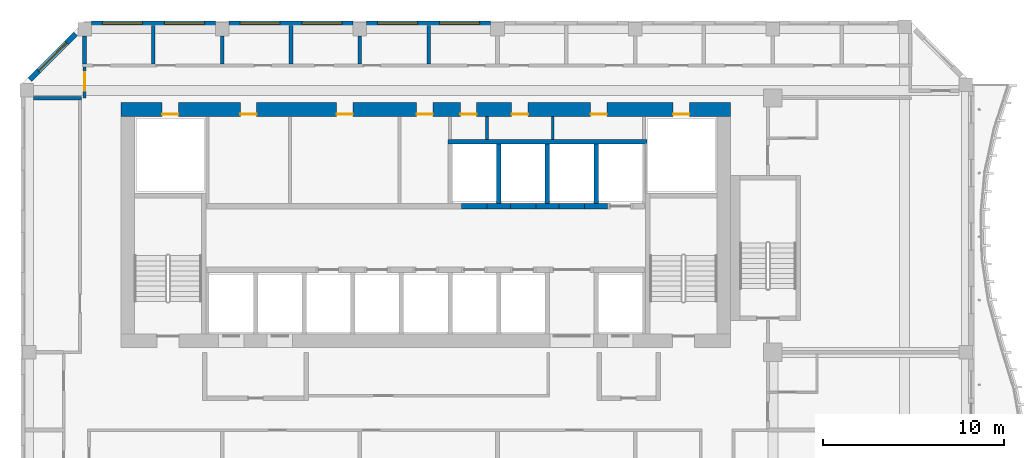
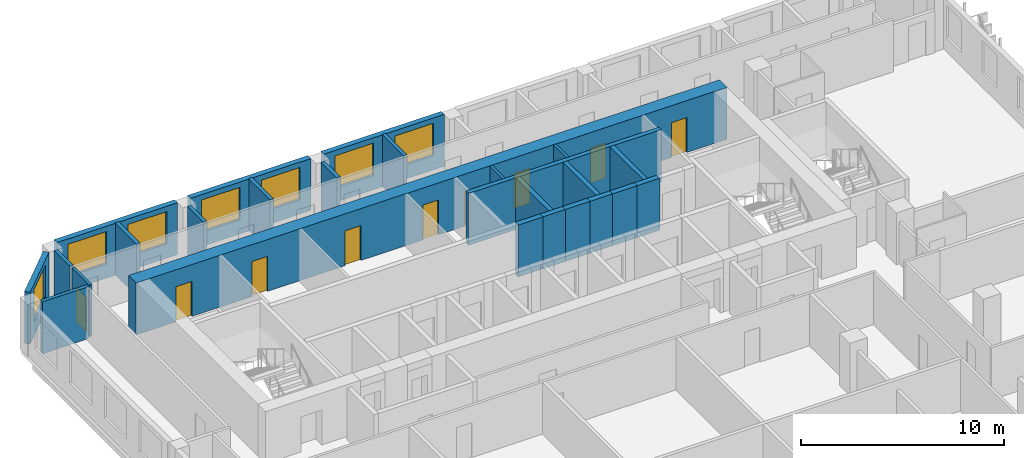
# One storey, part 8 of 23: 25 walls, 9 doors, 7 windows, 16 openings.
"""IFC4 building model written with IfcOpenShell, lengths in metres."""

from ifc_helpers import new_model, si_unit, direction, frame, frame_2d, origin, place, context, subcontext, project, spatial, rectangle, extrude, source, transform, mapped, material, layer, layer_set, type_object, element, fill, save


model = new_model("IFC4")

# Units and contexts
model_context = context("Model", 3, precision=1e-05, world=origin(), true_north=direction((0.0, 1.0)))
body_context = subcontext(model_context, "Body", "Model", "MODEL_VIEW")
ifc_project = project(units=[si_unit("LENGTHUNIT", "METRE"), si_unit("AREAUNIT", "SQUARE_METRE"), si_unit("VOLUMEUNIT", "CUBIC_METRE"), si_unit("PLANEANGLEUNIT", "RADIAN"), si_unit("MASSUNIT", "GRAM", prefix="KILO")], contexts=[model_context])

# Site, building, storey
site_placement = place(None, origin())
site = spatial("IfcSite", under=ifc_project, at=site_placement, CompositionType="ELEMENT")
building_placement = place(site_placement, origin())
building = spatial("IfcBuilding", under=site, at=building_placement, Name="Kilnfold Tower and Market Hall", CompositionType="ELEMENT")
storey_placement = place(building_placement, frame((0.0, 0.0, 203.300048828125)))
storey = spatial("IfcBuildingStorey", under=building, at=storey_placement, Name="L49", CompositionType="ELEMENT", Elevation=203.300048828125)

# Wall, opening, door
ifc_material_1 = material(Name="Gypsum board on steel studs", Category="steel")
ifc_layer_1 = layer(ifc_material_1, 0.14990234375)
ifc_layer_set_1 = layer_set([ifc_layer_1], Name="Gypsum board on steel studs")
wall_type_1 = type_object("IfcWallType", Name="WALL CORRIDOR 150", PredefinedType="PARTITIONING", material=ifc_layer_set_1)
wall_1_placement = place(storey_placement, frame((-17.75, 23.72509765625, 0.0), z_axis=(0.0, 0.0, 1.0), x_axis=(0.0, -1.0, 0.0)))
wall_1 = element("IfcWall", 1, at=wall_1_placement, inside=storey, type_object=wall_type_1, Name="Partition LY30.17", PredefinedType="PARTITIONING", context=body_context, shape_type="SweptSolid", body=[
    extrude(rectangle(XDim=1.72509765625, YDim=0.14990234375, at=frame_2d((0.862548828125, 0.0))), origin(), (0.0, 0.0, 1.0), 3.119873046875),
])
opening_1_placement = place(wall_1_placement, frame((0.30810546875, 0.0, 0.0)))
opening_1 = element("IfcOpeningElement", 2, at=opening_1_placement, cuts=wall_1, Name="Opening D4", PredefinedType="OPENING", context=body_context, shape_type="SweptSolid", body=[
    extrude(rectangle(XDim=1.0, YDim=2.10009765625, at=frame_2d((0.5, 1.050048828125))), frame((0.0, 0.0849609375, 0.0), z_axis=(0.0, -1.0, 0.0), x_axis=(1.0, 0.0, 0.0)), (0.0, 0.0, 1.0), 0.169921875),
])
ifc_material_2 = material(Name="Timber veneer door leaf in steel frame", Category="steel")
door_type_1 = type_object("IfcDoorType", Name="DOOR SERVICE 1000 X2100", OperationType="NOTDEFINED", PredefinedType="DOOR", material=ifc_material_2)
door_1_placement = place(opening_1_placement, origin())
door_1 = element("IfcDoor", 3, at=door_1_placement, inside=storey, type_object=door_type_1, Name="Door D4", OperationType="SINGLE_SWING_RIGHT", OverallHeight=2.10009765625, OverallWidth=1.0, PredefinedType="DOOR", context=body_context, shape_type="SweptSolid", body=[
    extrude(rectangle(XDim=1.0, YDim=2.10009765625, at=frame_2d((0.5, 1.050048828125))), frame((0.0, 0.02490234375, 0.0), z_axis=(0.0, -1.0, 0.0), x_axis=(1.0, 0.0, 0.0)), (0.0, 0.0, 1.0), 0.050048828125),
])
fill(opening_1, door_1)

# Walls
ifc_material_3 = material(Name="Gypsum board on steel studs", Category="steel")
ifc_layer_2 = layer(ifc_material_3, 0.199951171875)
ifc_layer_set_2 = layer_set([ifc_layer_2], Name="Gypsum board on steel studs")
wall_type_2 = type_object("IfcWallType", Name="WALL PARTY 200", PredefinedType="PARTITIONING", material=ifc_layer_set_2)
wall_2_placement = place(storey_placement, frame((-17.927001953125, 22.0, 0.0), z_axis=(0.0, 0.0, 1.0), x_axis=(-1.0, 0.0, 0.0)))
element("IfcWall", 4, at=wall_2_placement, inside=storey, type_object=wall_type_2, Name="Partition LY30.82", PredefinedType="PARTITIONING", context=body_context, shape_type="SweptSolid", body=[
    extrude(rectangle(XDim=2.6298828125, YDim=0.199951171875, at=frame_2d((1.31494140625, 0.0))), origin(), (0.0, 0.0, 1.0), 3.119873046875),
])
wall_3_placement = place(storey_placement, frame((-17.75, 23.876953125, 0.0), z_axis=(0.0, 0.0, 1.0), x_axis=(0.0, 1.0, 0.0)))
element("IfcWall", 5, at=wall_3_placement, inside=storey, type_object=wall_type_2, Name="Partition LY30.88", PredefinedType="PARTITIONING", context=body_context, shape_type="SweptSolid", body=[
    extrude(rectangle(XDim=1.548095703125, YDim=0.199951171875, at=frame_2d((0.77392578125, 0.0))), origin(), (0.0, 0.0, 1.0), 3.119873046875),
])
wall_4_placement = place(storey_placement, frame((-13.958984375, 23.876953125, 0.0), z_axis=(0.0, 0.0, 1.0), x_axis=(0.0, 1.0, 0.0)))
element("IfcWall", 6, at=wall_4_placement, inside=storey, type_object=wall_type_2, Name="Partition LY30.99", PredefinedType="PARTITIONING", context=body_context, shape_type="SweptSolid", body=[
    extrude(rectangle(XDim=2.123046875, YDim=0.199951171875, at=frame_2d((1.0615234375, 0.0))), origin(), (0.0, 0.0, 1.0), 3.119873046875),
])
wall_5_placement = place(storey_placement, frame((-10.1669921875, 23.876953125, 0.0), z_axis=(0.0, 0.0, 1.0), x_axis=(0.0, 1.0, 0.0)))
element("IfcWall", 7, at=wall_5_placement, inside=storey, type_object=wall_type_2, Name="Partition LY30.100", PredefinedType="PARTITIONING", context=body_context, shape_type="SweptSolid", body=[
    extrude(rectangle(XDim=1.548095703125, YDim=0.199951171875, at=frame_2d((0.77392578125, 0.0))), origin(), (0.0, 0.0, 1.0), 3.119873046875),
])
wall_6_placement = place(storey_placement, frame((-6.375, 23.876953125, 0.0), z_axis=(0.0, 0.0, 1.0), x_axis=(0.0, 1.0, 0.0)))
element("IfcWall", 8, at=wall_6_placement, inside=storey, type_object=wall_type_2, Name="Partition LY30.101", PredefinedType="PARTITIONING", context=body_context, shape_type="SweptSolid", body=[
    extrude(rectangle(XDim=2.123046875, YDim=0.199951171875, at=frame_2d((1.0615234375, 0.0))), origin(), (0.0, 0.0, 1.0), 3.119873046875),
])
wall_7_placement = place(storey_placement, frame((-2.5830078125, 23.876953125, 0.0), z_axis=(0.0, 0.0, 1.0), x_axis=(0.0, 1.0, 0.0)))
element("IfcWall", 9, at=wall_7_placement, inside=storey, type_object=wall_type_2, Name="Partition LY30.102", PredefinedType="PARTITIONING", context=body_context, shape_type="SweptSolid", body=[
    extrude(rectangle(XDim=1.548095703125, YDim=0.199951171875, at=frame_2d((0.77392578125, 0.0))), origin(), (0.0, 0.0, 1.0), 3.119873046875),
])
wall_8_placement = place(storey_placement, frame((1.2080078125, 23.876953125, 0.0), z_axis=(0.0, 0.0, 1.0), x_axis=(0.0, 1.0, 0.0)))
element("IfcWall", 10, at=wall_8_placement, inside=storey, type_object=wall_type_2, Name="Partition LY30.103", PredefinedType="PARTITIONING", context=body_context, shape_type="SweptSolid", body=[
    extrude(rectangle(XDim=2.123046875, YDim=0.199951171875, at=frame_2d((1.0615234375, 0.0))), origin(), (0.0, 0.0, 1.0), 3.119873046875),
])
ifc_material_4 = material(Name="Concrete C60", Category="concrete")
ifc_layer_3 = layer(ifc_material_4, 0.300048828125)
ifc_layer_set_3 = layer_set([ifc_layer_3], Name="Concrete C60")
wall_type_3 = type_object("IfcWallType", Name="CORE WALL 300 C60", PredefinedType="SHEAR", material=ifc_layer_set_3)
shared_shape_1 = source(origin(), body_context, "Body", "SweptSolid", [
    extrude(rectangle(XDim=1.280029296875, YDim=0.300048828125, at=frame_2d((0.64013671875, 0.0))), origin(), (0.0, 0.0, 1.0), 3.119873046875),
])
for number, where, z_axis, x_axis, name in (
    (11, (4.429931640625, 16.050048828125, 0.0), (0.0, 0.0, 1.0), (1.0, 0.0, 0.0), "Core spine wall"),
    (12, (9.7900390625, 16.050048828125, 0.0), (0.0, 0.0, 1.0), (1.0, 0.0, 0.0), "Core spine wall"),
):
    element("IfcWall", number, at=place(storey_placement, frame(where, z_axis=z_axis, x_axis=x_axis)), inside=storey, type_object=wall_type_3, Name=name, PredefinedType="SHEAR", context=body_context, shape_type="MappedRepresentation", body=[
        mapped(shared_shape_1, transform((0.0, 0.0, 0.0))),
    ])
shared_shape_2 = source(origin(), body_context, "Body", "SweptSolid", [
    extrude(rectangle(XDim=1.27978515625, YDim=0.300048828125, at=frame_2d((0.639892578125, 0.0))), origin(), (0.0, 0.0, 1.0), 3.119873046875),
])
wall_9_placement = place(storey_placement, frame((7.110107421875, 16.050048828125, 0.0), z_axis=(0.0, 0.0, 1.0), x_axis=(1.0, 0.0, 0.0)))
element("IfcWall", 13, at=wall_9_placement, inside=storey, type_object=wall_type_3, Name="Core spine wall", PredefinedType="SHEAR", context=body_context, shape_type="MappedRepresentation", body=[
    mapped(shared_shape_2, transform((0.0, 0.0, 0.0))),
])

# Wall, openings, doors
ifc_material_5 = material(Name="Concrete C60", Category="concrete")
ifc_layer_4 = layer(ifc_material_5, 0.75)
ifc_layer_set_4 = layer_set([ifc_layer_4], Name="Concrete C60")
wall_type_4 = type_object("IfcWallType", Name="CORE WALL 750 C60", PredefinedType="SHEAR", material=ifc_layer_set_4)
shared_shape_3 = source(origin(), body_context, "Body", "SweptSolid", [
    extrude(rectangle(XDim=33.60009765625, YDim=0.75, at=frame_2d((16.800048828125, 0.0))), origin(), (0.0, 0.0, 1.0), 3.119873046875),
])
wall_10_placement = place(storey_placement, frame((-15.75, 21.375, 0.0), z_axis=(0.0, 0.0, 1.0), x_axis=(1.0, 0.0, 0.0)))
wall_10 = element("IfcWall", 14, at=wall_10_placement, inside=storey, type_object=wall_type_4, Name="Core outer wall north", PredefinedType="SHEAR", context=body_context, shape_type="MappedRepresentation", body=[
    mapped(shared_shape_3, transform((0.0, 0.0, 0.0))),
])
opening_2_placement = place(wall_10_placement, frame((6.581298828125, 0.0, 0.0)))
opening_2 = element("IfcOpeningElement", 15, at=opening_2_placement, cuts=wall_10, Name="Opening KD1", PredefinedType="OPENING", context=body_context, shape_type="SweptSolid", body=[
    extrude(rectangle(XDim=0.89990234375, YDim=2.10009765625, at=frame_2d((0.449951171875, 1.050048828125))), frame((0.0, 0.385009765625, 0.0), z_axis=(0.0, -1.0, 0.0), x_axis=(1.0, 0.0, 0.0)), (0.0, 0.0, 1.0), 0.77001953125),
])
opening_3_placement = place(wall_10_placement, frame((11.8876953125, 0.0, 0.0)))
opening_3 = element("IfcOpeningElement", 16, at=opening_3_placement, cuts=wall_10, Name="Opening KD1", PredefinedType="OPENING", context=body_context, shape_type="SweptSolid", body=[
    extrude(rectangle(XDim=0.89990234375, YDim=2.10009765625, at=frame_2d((0.449951171875, 1.050048828125))), frame((0.0, 0.385009765625, 0.0), z_axis=(0.0, -1.0, 0.0), x_axis=(1.0, 0.0, 0.0)), (0.0, 0.0, 1.0), 0.77001953125),
])
opening_4_placement = place(wall_10_placement, frame((16.29638671875, 0.0, 0.0)))
opening_4 = element("IfcOpeningElement", 17, at=opening_4_placement, cuts=wall_10, Name="Opening KD1", PredefinedType="OPENING", context=body_context, shape_type="SweptSolid", body=[
    extrude(rectangle(XDim=0.89990234375, YDim=2.10009765625, at=frame_2d((0.449951171875, 1.050048828125))), frame((0.0, 0.385009765625, 0.0), z_axis=(0.0, -1.0, 0.0), x_axis=(1.0, 0.0, 0.0)), (0.0, 0.0, 1.0), 0.77001953125),
])
opening_5_placement = place(wall_10_placement, frame((18.70849609375, 0.0, 0.0)))
opening_5 = element("IfcOpeningElement", 18, at=opening_5_placement, cuts=wall_10, Name="Opening KD1", PredefinedType="OPENING", context=body_context, shape_type="SweptSolid", body=[
    extrude(rectangle(XDim=0.89990234375, YDim=2.10009765625, at=frame_2d((0.449951171875, 1.050048828125))), frame((0.0, 0.385009765625, 0.0), z_axis=(0.0, -1.0, 0.0), x_axis=(1.0, 0.0, 0.0)), (0.0, 0.0, 1.0), 0.77001953125),
])
opening_6_placement = place(wall_10_placement, frame((21.535888671875, 0.0, 0.0)))
opening_6 = element("IfcOpeningElement", 19, at=opening_6_placement, cuts=wall_10, Name="Opening KD1", PredefinedType="OPENING", context=body_context, shape_type="SweptSolid", body=[
    extrude(rectangle(XDim=0.89990234375, YDim=2.10009765625, at=frame_2d((0.449951171875, 1.050048828125))), frame((0.0, 0.385009765625, 0.0), z_axis=(0.0, -1.0, 0.0), x_axis=(1.0, 0.0, 0.0)), (0.0, 0.0, 1.0), 0.77001953125),
])
opening_7_placement = place(wall_10_placement, frame((25.87744140625, 0.0, 0.0)))
opening_7 = element("IfcOpeningElement", 20, at=opening_7_placement, cuts=wall_10, Name="Opening KD1", PredefinedType="OPENING", context=body_context, shape_type="SweptSolid", body=[
    extrude(rectangle(XDim=0.89990234375, YDim=2.10009765625, at=frame_2d((0.449951171875, 1.050048828125))), frame((0.0, 0.385009765625, 0.0), z_axis=(0.0, -1.0, 0.0), x_axis=(1.0, 0.0, 0.0)), (0.0, 0.0, 1.0), 0.77001953125),
])
opening_8_placement = place(wall_10_placement, frame((2.27490234375, 0.0, 0.0)))
opening_8 = element("IfcOpeningElement", 21, at=opening_8_placement, cuts=wall_10, Name="Opening KD1", PredefinedType="OPENING", context=body_context, shape_type="SweptSolid", body=[
    extrude(rectangle(XDim=0.89990234375, YDim=2.10009765625, at=frame_2d((0.449951171875, 1.050048828125))), frame((0.0, 0.385009765625, 0.0), z_axis=(0.0, -1.0, 0.0), x_axis=(1.0, 0.0, 0.0)), (0.0, 0.0, 1.0), 0.77001953125),
])
opening_9_placement = place(wall_10_placement, frame((30.425048828125, 0.0, 0.0)))
opening_9 = element("IfcOpeningElement", 22, at=opening_9_placement, cuts=wall_10, Name="Opening KD1", PredefinedType="OPENING", context=body_context, shape_type="SweptSolid", body=[
    extrude(rectangle(XDim=0.89990234375, YDim=2.10009765625, at=frame_2d((0.449951171875, 1.050048828125))), frame((0.0, 0.385009765625, 0.0), z_axis=(0.0, -1.0, 0.0), x_axis=(1.0, 0.0, 0.0)), (0.0, 0.0, 1.0), 0.77001953125),
])
ifc_material_6 = material(Name="Steel door set with fire-resisting leaf", Category="steel")
door_type_2 = type_object("IfcDoorType", Name="SERVICE DOOR 900X2100", OperationType="NOTDEFINED", PredefinedType="DOOR", material=ifc_material_6)
door_2_placement = place(opening_2_placement, origin())
door_2 = element("IfcDoor", 23, at=door_2_placement, inside=storey, type_object=door_type_2, Name="Core service door", OperationType="SINGLE_SWING_RIGHT", OverallHeight=2.10009765625, OverallWidth=0.89990234375, PredefinedType="DOOR", context=body_context, shape_type="SweptSolid", body=[
    extrude(rectangle(XDim=0.89990234375, YDim=2.10009765625, at=frame_2d((0.449951171875, 1.050048828125))), frame((0.0, -0.22998046875, 0.0), z_axis=(0.0, -1.0, 0.0), x_axis=(1.0, 0.0, 0.0)), (0.0, 0.0, 1.0), 0.050048828125),
])
fill(opening_2, door_2)
door_3_placement = place(opening_3_placement, origin())
door_3 = element("IfcDoor", 24, at=door_3_placement, inside=storey, type_object=door_type_2, Name="Core service door", OperationType="SINGLE_SWING_LEFT", OverallHeight=2.10009765625, OverallWidth=0.89990234375, PredefinedType="DOOR", context=body_context, shape_type="SweptSolid", body=[
    extrude(rectangle(XDim=0.89990234375, YDim=2.10009765625, at=frame_2d((0.449951171875, 1.050048828125))), frame((0.0, -0.22998046875, 0.0), z_axis=(0.0, -1.0, 0.0), x_axis=(1.0, 0.0, 0.0)), (0.0, 0.0, 1.0), 0.050048828125),
])
fill(opening_3, door_3)
door_4_placement = place(opening_4_placement, origin())
door_4 = element("IfcDoor", 25, at=door_4_placement, inside=storey, type_object=door_type_2, Name="Core service door", OperationType="SINGLE_SWING_RIGHT", OverallHeight=2.10009765625, OverallWidth=0.89990234375, PredefinedType="DOOR", context=body_context, shape_type="SweptSolid", body=[
    extrude(rectangle(XDim=0.89990234375, YDim=2.10009765625, at=frame_2d((0.449951171875, 1.050048828125))), frame((0.0, -0.22998046875, 0.0), z_axis=(0.0, -1.0, 0.0), x_axis=(1.0, 0.0, 0.0)), (0.0, 0.0, 1.0), 0.050048828125),
])
fill(opening_4, door_4)
door_5_placement = place(opening_5_placement, origin())
door_5 = element("IfcDoor", 26, at=door_5_placement, inside=storey, type_object=door_type_2, Name="Core service door", OperationType="SINGLE_SWING_LEFT", OverallHeight=2.10009765625, OverallWidth=0.89990234375, PredefinedType="DOOR", context=body_context, shape_type="SweptSolid", body=[
    extrude(rectangle(XDim=0.89990234375, YDim=2.10009765625, at=frame_2d((0.449951171875, 1.050048828125))), frame((0.0, -0.22998046875, 0.0), z_axis=(0.0, -1.0, 0.0), x_axis=(1.0, 0.0, 0.0)), (0.0, 0.0, 1.0), 0.050048828125),
])
fill(opening_5, door_5)
door_6_placement = place(opening_6_placement, origin())
door_6 = element("IfcDoor", 27, at=door_6_placement, inside=storey, type_object=door_type_2, Name="Core service door", OperationType="SINGLE_SWING_RIGHT", OverallHeight=2.10009765625, OverallWidth=0.89990234375, PredefinedType="DOOR", context=body_context, shape_type="SweptSolid", body=[
    extrude(rectangle(XDim=0.89990234375, YDim=2.10009765625, at=frame_2d((0.449951171875, 1.050048828125))), frame((0.0, -0.22998046875, 0.0), z_axis=(0.0, -1.0, 0.0), x_axis=(1.0, 0.0, 0.0)), (0.0, 0.0, 1.0), 0.050048828125),
])
fill(opening_6, door_6)
door_7_placement = place(opening_7_placement, origin())
door_7 = element("IfcDoor", 28, at=door_7_placement, inside=storey, type_object=door_type_2, Name="Core service door", OperationType="SINGLE_SWING_LEFT", OverallHeight=2.10009765625, OverallWidth=0.89990234375, PredefinedType="DOOR", context=body_context, shape_type="SweptSolid", body=[
    extrude(rectangle(XDim=0.89990234375, YDim=2.10009765625, at=frame_2d((0.449951171875, 1.050048828125))), frame((0.0, -0.22998046875, 0.0), z_axis=(0.0, -1.0, 0.0), x_axis=(1.0, 0.0, 0.0)), (0.0, 0.0, 1.0), 0.050048828125),
])
fill(opening_7, door_7)
door_8_placement = place(opening_8_placement, origin())
door_8 = element("IfcDoor", 29, at=door_8_placement, inside=storey, type_object=door_type_2, Name="Electrical riser access door", OperationType="SINGLE_SWING_RIGHT", OverallHeight=2.10009765625, OverallWidth=0.89990234375, PredefinedType="DOOR", context=body_context, shape_type="SweptSolid", body=[
    extrude(rectangle(XDim=0.89990234375, YDim=2.10009765625, at=frame_2d((0.449951171875, 1.050048828125))), frame((0.0, -0.22998046875, 0.0), z_axis=(0.0, -1.0, 0.0), x_axis=(1.0, 0.0, 0.0)), (0.0, 0.0, 1.0), 0.050048828125),
])
fill(opening_8, door_8)
door_9_placement = place(opening_9_placement, origin())
door_9 = element("IfcDoor", 30, at=door_9_placement, inside=storey, type_object=door_type_2, Name="Mechanical riser access door", OperationType="SINGLE_SWING_LEFT", OverallHeight=2.10009765625, OverallWidth=0.89990234375, PredefinedType="DOOR", context=body_context, shape_type="SweptSolid", body=[
    extrude(rectangle(XDim=0.89990234375, YDim=2.10009765625, at=frame_2d((0.449951171875, 1.050048828125))), frame((0.0, -0.22998046875, 0.0), z_axis=(0.0, -1.0, 0.0), x_axis=(1.0, 0.0, 0.0)), (0.0, 0.0, 1.0), 0.050048828125),
])
fill(opening_9, door_9)

# Wall, openings, windows
ifc_material_7 = material(Name="Precast concrete C50/60", Category="concrete")
ifc_layer_5 = layer(ifc_material_7, 0.300048828125)
ifc_layer_set_5 = layer_set([ifc_layer_5], Name="Precast concrete C50/60")
wall_type_5 = type_object("IfcWallType", Name="PRECAST WALL 300", PredefinedType="SOLIDWALL", material=ifc_layer_set_5)
shared_shape_4 = source(origin(), body_context, "Body", "SweptSolid", [
    extrude(rectangle(XDim=6.833251953125, YDim=0.300048828125, at=frame_2d((3.41650390625, 0.0))), origin(), (0.0, 0.0, 1.0), 3.119873046875),
])
wall_11_placement = place(storey_placement, frame((4.625, 26.10009765625, 0.0), z_axis=(0.0, 0.0, 1.0), x_axis=(-1.0, 0.0, 0.0)))
wall_11 = element("IfcWall", 31, at=wall_11_placement, inside=storey, type_object=wall_type_5, Name="External wall L49 N", PredefinedType="SOLIDWALL", context=body_context, shape_type="MappedRepresentation", body=[
    mapped(shared_shape_4, transform((0.0, 0.0, 0.0))),
])
opening_10_placement = place(wall_11_placement, frame((0.6083984375, 0.0, 0.85009765625)))
opening_10 = element("IfcOpeningElement", 32, at=opening_10_placement, cuts=wall_11, Name="Opening W2", PredefinedType="OPENING", context=body_context, shape_type="SweptSolid", body=[
    extrude(rectangle(XDim=2.199951171875, YDim=1.949951171875, at=frame_2d((1.10009765625, 0.97509765625))), frame((0.0, 0.16015625, 0.0), z_axis=(0.0, -1.0, 0.0), x_axis=(1.0, 0.0, 0.0)), (0.0, 0.0, 1.0), 0.320068359375),
])
opening_11_placement = place(wall_11_placement, frame((4.02490234375, 0.0, 0.85009765625)))
opening_11 = element("IfcOpeningElement", 33, at=opening_11_placement, cuts=wall_11, Name="Opening W2", PredefinedType="OPENING", context=body_context, shape_type="SweptSolid", body=[
    extrude(rectangle(XDim=2.199951171875, YDim=1.949951171875, at=frame_2d((1.10009765625, 0.97509765625))), frame((0.0, 0.16015625, 0.0), z_axis=(0.0, -1.0, 0.0), x_axis=(1.0, 0.0, 0.0)), (0.0, 0.0, 1.0), 0.320068359375),
])
ifc_material_8 = material(Name="Aluminium frame and double glazing", Category="aluminium")
window_type = type_object("IfcWindowType", Name="WINDOW W2 2200X1950", PartitioningType="SINGLE_PANEL", PredefinedType="WINDOW", material=ifc_material_8)
window_1_placement = place(opening_10_placement, origin())
window_1 = element("IfcWindow", 34, at=window_1_placement, inside=storey, type_object=window_type, Name="Window W2 L49 N-1", OverallHeight=1.949951171875, OverallWidth=2.199951171875, PartitioningType="SINGLE_PANEL", PredefinedType="WINDOW", context=body_context, shape_type="SweptSolid", body=[
    extrude(rectangle(XDim=2.199951171875, YDim=1.949951171875, at=frame_2d((1.10009765625, 0.97509765625))), frame((0.0, 0.030029296875, 0.0), z_axis=(0.0, -1.0, 0.0), x_axis=(1.0, 0.0, 0.0)), (0.0, 0.0, 1.0), 0.06005859375),
])
fill(opening_10, window_1)
window_2_placement = place(opening_11_placement, origin())
window_2 = element("IfcWindow", 35, at=window_2_placement, inside=storey, type_object=window_type, Name="Window W2 L49 N-2", OverallHeight=1.949951171875, OverallWidth=2.199951171875, PartitioningType="SINGLE_PANEL", PredefinedType="WINDOW", context=body_context, shape_type="SweptSolid", body=[
    extrude(rectangle(XDim=2.199951171875, YDim=1.949951171875, at=frame_2d((1.10009765625, 0.97509765625))), frame((0.0, 0.030029296875, 0.0), z_axis=(0.0, -1.0, 0.0), x_axis=(1.0, 0.0, 0.0)), (0.0, 0.0, 1.0), 0.06005859375),
])
fill(opening_11, window_2)

wall_12_placement = place(storey_placement, frame((-10.541748046875, 26.10009765625, 0.0), z_axis=(0.0, 0.0, 1.0), x_axis=(-1.0, 0.0, 0.0)))
wall_12 = element("IfcWall", 36, at=wall_12_placement, inside=storey, type_object=wall_type_5, Name="External wall L49 N", PredefinedType="SOLIDWALL", context=body_context, shape_type="MappedRepresentation", body=[
    mapped(shared_shape_4, transform((0.0, 0.0, 0.0))),
])
opening_12_placement = place(wall_12_placement, frame((0.6083984375, 0.0, 0.85009765625)))
opening_12 = element("IfcOpeningElement", 37, at=opening_12_placement, cuts=wall_12, Name="Opening W2", PredefinedType="OPENING", context=body_context, shape_type="SweptSolid", body=[
    extrude(rectangle(XDim=2.199951171875, YDim=1.949951171875, at=frame_2d((1.10009765625, 0.97509765625))), frame((0.0, 0.16015625, 0.0), z_axis=(0.0, -1.0, 0.0), x_axis=(1.0, 0.0, 0.0)), (0.0, 0.0, 1.0), 0.320068359375),
])
opening_13_placement = place(wall_12_placement, frame((4.02490234375, 0.0, 0.85009765625)))
opening_13 = element("IfcOpeningElement", 38, at=opening_13_placement, cuts=wall_12, Name="Opening W2", PredefinedType="OPENING", context=body_context, shape_type="SweptSolid", body=[
    extrude(rectangle(XDim=2.199951171875, YDim=1.949951171875, at=frame_2d((1.10009765625, 0.97509765625))), frame((0.0, 0.16015625, 0.0), z_axis=(0.0, -1.0, 0.0), x_axis=(1.0, 0.0, 0.0)), (0.0, 0.0, 1.0), 0.320068359375),
])
window_3_placement = place(opening_12_placement, origin())
window_3 = element("IfcWindow", 39, at=window_3_placement, inside=storey, type_object=window_type, Name="Window W2 L49 N-1", OverallHeight=1.949951171875, OverallWidth=2.199951171875, PartitioningType="SINGLE_PANEL", PredefinedType="WINDOW", context=body_context, shape_type="SweptSolid", body=[
    extrude(rectangle(XDim=2.199951171875, YDim=1.949951171875, at=frame_2d((1.10009765625, 0.97509765625))), frame((0.0, 0.030029296875, 0.0), z_axis=(0.0, -1.0, 0.0), x_axis=(1.0, 0.0, 0.0)), (0.0, 0.0, 1.0), 0.06005859375),
])
fill(opening_12, window_3)
window_4_placement = place(opening_13_placement, origin())
window_4 = element("IfcWindow", 40, at=window_4_placement, inside=storey, type_object=window_type, Name="Window W2 L49 N-2", OverallHeight=1.949951171875, OverallWidth=2.199951171875, PartitioningType="SINGLE_PANEL", PredefinedType="WINDOW", context=body_context, shape_type="SweptSolid", body=[
    extrude(rectangle(XDim=2.199951171875, YDim=1.949951171875, at=frame_2d((1.10009765625, 0.97509765625))), frame((0.0, 0.030029296875, 0.0), z_axis=(0.0, -1.0, 0.0), x_axis=(1.0, 0.0, 0.0)), (0.0, 0.0, 1.0), 0.06005859375),
])
fill(opening_13, window_4)

shared_shape_5 = source(origin(), body_context, "Body", "SweptSolid", [
    extrude(rectangle(XDim=6.83349609375, YDim=0.300048828125, at=frame_2d((3.416748046875, 0.0))), origin(), (0.0, 0.0, 1.0), 3.119873046875),
])
wall_13_placement = place(storey_placement, frame((-2.958251953125, 26.10009765625, 0.0), z_axis=(0.0, 0.0, 1.0), x_axis=(-1.0, 0.0, 0.0)))
wall_13 = element("IfcWall", 41, at=wall_13_placement, inside=storey, type_object=wall_type_5, Name="External wall L49 N", PredefinedType="SOLIDWALL", context=body_context, shape_type="MappedRepresentation", body=[
    mapped(shared_shape_5, transform((0.0, 0.0, 0.0))),
])
opening_14_placement = place(wall_13_placement, frame((0.6083984375, 0.0, 0.85009765625)))
opening_14 = element("IfcOpeningElement", 42, at=opening_14_placement, cuts=wall_13, Name="Opening W2", PredefinedType="OPENING", context=body_context, shape_type="SweptSolid", body=[
    extrude(rectangle(XDim=2.199951171875, YDim=1.949951171875, at=frame_2d((1.10009765625, 0.97509765625))), frame((0.0, 0.16015625, 0.0), z_axis=(0.0, -1.0, 0.0), x_axis=(1.0, 0.0, 0.0)), (0.0, 0.0, 1.0), 0.320068359375),
])
opening_15_placement = place(wall_13_placement, frame((4.02490234375, 0.0, 0.85009765625)))
opening_15 = element("IfcOpeningElement", 43, at=opening_15_placement, cuts=wall_13, Name="Opening W2", PredefinedType="OPENING", context=body_context, shape_type="SweptSolid", body=[
    extrude(rectangle(XDim=2.199951171875, YDim=1.949951171875, at=frame_2d((1.10009765625, 0.97509765625))), frame((0.0, 0.16015625, 0.0), z_axis=(0.0, -1.0, 0.0), x_axis=(1.0, 0.0, 0.0)), (0.0, 0.0, 1.0), 0.320068359375),
])
window_5_placement = place(opening_14_placement, origin())
window_5 = element("IfcWindow", 44, at=window_5_placement, inside=storey, type_object=window_type, Name="Window W2 L49 N-1", OverallHeight=1.949951171875, OverallWidth=2.199951171875, PartitioningType="SINGLE_PANEL", PredefinedType="WINDOW", context=body_context, shape_type="SweptSolid", body=[
    extrude(rectangle(XDim=2.199951171875, YDim=1.949951171875, at=frame_2d((1.10009765625, 0.97509765625))), frame((0.0, 0.030029296875, 0.0), z_axis=(0.0, -1.0, 0.0), x_axis=(1.0, 0.0, 0.0)), (0.0, 0.0, 1.0), 0.06005859375),
])
fill(opening_14, window_5)
window_6_placement = place(opening_15_placement, origin())
window_6 = element("IfcWindow", 45, at=window_6_placement, inside=storey, type_object=window_type, Name="Window W2 L49 N-2", OverallHeight=1.949951171875, OverallWidth=2.199951171875, PartitioningType="SINGLE_PANEL", PredefinedType="WINDOW", context=body_context, shape_type="SweptSolid", body=[
    extrude(rectangle(XDim=2.199951171875, YDim=1.949951171875, at=frame_2d((1.10009765625, 0.97509765625))), frame((0.0, 0.030029296875, 0.0), z_axis=(0.0, -1.0, 0.0), x_axis=(1.0, 0.0, 0.0)), (0.0, 0.0, 1.0), 0.06005859375),
])
fill(opening_15, window_6)

# Wall, opening, window
shared_shape_6 = source(origin(), body_context, "Body", "SweptSolid", [
    extrude(rectangle(XDim=3.571044921875, YDim=0.300048828125, at=frame_2d((1.78564453125, 0.0))), origin(), (0.0, 0.0, 1.0), 3.119873046875),
])
wall_14_placement = place(storey_placement, frame((-18.243896484375, 25.5439453125, 0.0), z_axis=(0.0, 0.0, 1.0), x_axis=(-0.707072595841, -0.707140964879, 0.0)))
wall_14 = element("IfcWall", 46, at=wall_14_placement, inside=storey, type_object=wall_type_5, Name="External wall L49 NW", PredefinedType="SOLIDWALL", context=body_context, shape_type="MappedRepresentation", body=[
    mapped(shared_shape_6, transform((0.0, 0.0, 0.0))),
])
opening_16_placement = place(wall_14_placement, frame((0.685546875, 0.0, 0.85009765625)))
opening_16 = element("IfcOpeningElement", 47, at=opening_16_placement, cuts=wall_14, Name="Opening W2", PredefinedType="OPENING", context=body_context, shape_type="SweptSolid", body=[
    extrude(rectangle(XDim=2.199951171875, YDim=1.949951171875, at=frame_2d((1.10009765625, 0.97509765625))), frame((0.0, 0.16015625, 0.0), z_axis=(0.0, -1.0, 0.0), x_axis=(1.0, 0.0, 0.0)), (0.0, 0.0, 1.0), 0.320068359375),
])
window_7_placement = place(opening_16_placement, origin())
window_7 = element("IfcWindow", 48, at=window_7_placement, inside=storey, type_object=window_type, Name="Window W2 L49 NW-1", OverallHeight=1.949951171875, OverallWidth=2.199951171875, PartitioningType="SINGLE_PANEL", PredefinedType="WINDOW", context=body_context, shape_type="SweptSolid", body=[
    extrude(rectangle(XDim=2.199951171875, YDim=1.949951171875, at=frame_2d((1.10009765625, 0.97509765625))), frame((0.0, 0.030029296875, 0.0), z_axis=(0.0, -1.0, 0.0), x_axis=(1.0, 0.0, 0.0)), (0.0, 0.0, 1.0), 0.06005859375),
])
fill(opening_16, window_7)

# Walls
ifc_material_9 = material(Name="Gypsum shaft wall system")
ifc_layer_6 = layer(ifc_material_9, 0.300048828125)
ifc_layer_set_6 = layer_set([ifc_layer_6], Name="Gypsum shaft wall system")
wall_type_6 = type_object("IfcWallType", Name="SHAFT WALL 300", PredefinedType="PARTITIONING", material=ifc_layer_set_6)
shared_shape_7 = source(origin(), body_context, "Body", "SweptSolid", [
    extrude(rectangle(XDim=1.39990234375, YDim=0.300048828125, at=frame_2d((0.699951171875, 0.0))), origin(), (0.0, 0.0, 1.0), 3.119873046875),
])
wall_15_placement = place(storey_placement, frame((3.030029296875, 16.050048828125, 0.0), z_axis=(0.0, 0.0, 1.0), x_axis=(1.0, 0.0, 0.0)))
element("IfcWall", 49, at=wall_15_placement, inside=storey, type_object=wall_type_6, Name="Lift shaft front wall", PredefinedType="PARTITIONING", context=body_context, shape_type="MappedRepresentation", body=[
    mapped(shared_shape_7, transform((0.0, 0.0, 0.0))),
])
shared_shape_8 = source(origin(), body_context, "Body", "SweptSolid", [
    extrude(rectangle(XDim=1.400146484375, YDim=0.300048828125, at=frame_2d((0.7001953125, 0.0))), origin(), (0.0, 0.0, 1.0), 3.119873046875),
])
for number, where, z_axis, x_axis, name in (
    (50, (5.7099609375, 16.050048828125, 0.0), (0.0, 0.0, 1.0), (1.0, 0.0, 0.0), "Lift shaft front wall"),
    (51, (8.389892578125, 16.050048828125, 0.0), (0.0, 0.0, 1.0), (1.0, 0.0, 0.0), "Lift shaft front wall"),
):
    element("IfcWall", number, at=place(storey_placement, frame(where, z_axis=z_axis, x_axis=x_axis)), inside=storey, type_object=wall_type_6, Name=name, PredefinedType="PARTITIONING", context=body_context, shape_type="MappedRepresentation", body=[
        mapped(shared_shape_8, transform((0.0, 0.0, 0.0))),
    ])
ifc_material_10 = material(Name="Gypsum shaft wall system")
ifc_layer_7 = layer(ifc_material_10, 0.25)
ifc_layer_set_7 = layer_set([ifc_layer_7], Name="Gypsum shaft wall system")
wall_type_7 = type_object("IfcWallType", Name="SHAFT WALL 250", PredefinedType="PARTITIONING", material=ifc_layer_set_7)
shared_shape_9 = source(origin(), body_context, "Body", "SweptSolid", [
    extrude(rectangle(XDim=10.97021484375, YDim=0.25, at=frame_2d((5.485107421875, 0.0))), origin(), (0.0, 0.0, 1.0), 3.119873046875),
])
wall_16_placement = place(storey_placement, frame((2.264892578125, 19.60009765625, 0.0), z_axis=(0.0, 0.0, 1.0), x_axis=(1.0, 0.0, 0.0)))
element("IfcWall", 52, at=wall_16_placement, inside=storey, type_object=wall_type_7, Name="Lift shaft wall", PredefinedType="PARTITIONING", context=body_context, shape_type="MappedRepresentation", body=[
    mapped(shared_shape_9, transform((0.0, 0.0, 0.0))),
])
shared_shape_10 = source(origin(), body_context, "Body", "SweptSolid", [
    extrude(rectangle(XDim=3.275146484375, YDim=0.25, at=frame_2d((1.6376953125, 0.0))), origin(), (0.0, 0.0, 1.0), 3.119873046875),
])
for number, where, z_axis, x_axis, name in (
    (53, (10.429931640625, 16.199951171875, 0.0), (0.0, 0.0, 1.0), (0.0, 1.0, 0.0), "Lift shaft wall"),
    (54, (5.070068359375, 16.199951171875, 0.0), (0.0, 0.0, 1.0), (0.0, 1.0, 0.0), "Lift shaft wall"),
    (55, (7.75, 16.199951171875, 0.0), (0.0, 0.0, 1.0), (0.0, 1.0, 0.0), "Lift shaft wall"),
):
    element("IfcWall", number, at=place(storey_placement, frame(where, z_axis=z_axis, x_axis=x_axis)), inside=storey, type_object=wall_type_7, Name=name, PredefinedType="PARTITIONING", context=body_context, shape_type="MappedRepresentation", body=[
        mapped(shared_shape_10, transform((0.0, 0.0, 0.0))),
    ])
ifc_material_11 = material(Name="Gypsum shaft wall system")
ifc_layer_8 = layer(ifc_material_11, 0.14990234375)
ifc_layer_set_8 = layer_set([ifc_layer_8], Name="Gypsum shaft wall system")
wall_type_8 = type_object("IfcWallType", Name="ROOM WALL 150", PredefinedType="PARTITIONING", material=ifc_layer_set_8)
shared_shape_11 = source(origin(), body_context, "Body", "SweptSolid", [
    extrude(rectangle(XDim=1.27490234375, YDim=0.14990234375, at=frame_2d((0.637451171875, 0.0))), origin(), (0.0, 0.0, 1.0), 3.119873046875),
])
for number, where, z_axis, x_axis, name in (
    (56, (4.4267578125, 19.72509765625, 0.0), (0.0, 0.0, 1.0), (0.0, 1.0, 0.0), "Core room wall"),
    (57, (8.044921875, 19.72509765625, 0.0), (0.0, 0.0, 1.0), (0.0, 1.0, 0.0), "Core room wall"),
):
    element("IfcWall", number, at=place(storey_placement, frame(where, z_axis=z_axis, x_axis=x_axis)), inside=storey, type_object=wall_type_8, Name=name, PredefinedType="PARTITIONING", context=body_context, shape_type="MappedRepresentation", body=[
        mapped(shared_shape_11, transform((0.0, 0.0, 0.0))),
    ])

save(model, "model.ifc")
